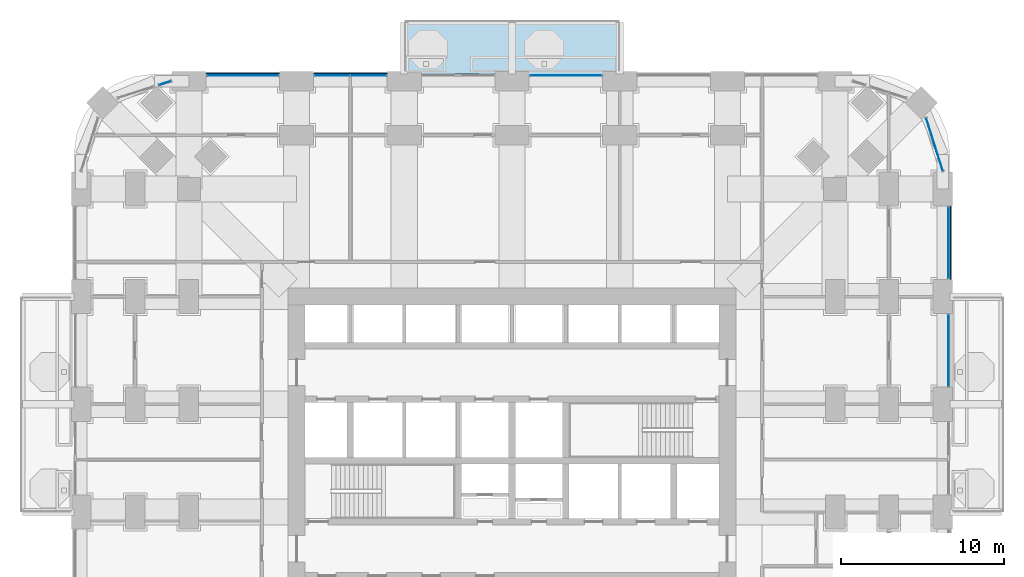
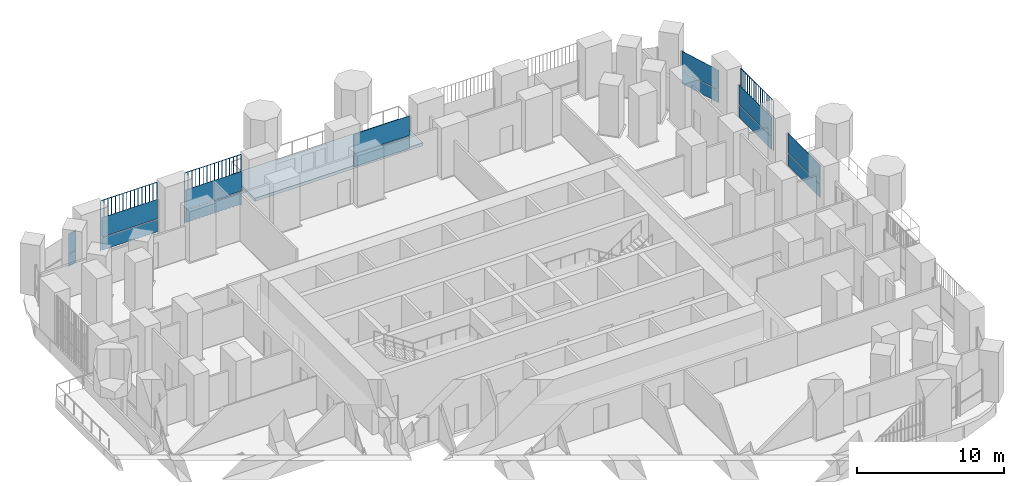
# One storey, part 15 of 26: 19 plates, 1 slab, 7 elements without a shape of their own.
"""IFC4 building model written with IfcOpenShell, lengths in metres."""

from ifc_helpers import new_model, si_unit, direction, frame, origin, origin_2d, place, context, subcontext, project, spatial, polyline, rectangle, outline, extrude, material, layer, layer_set, type_object, element, aggregate, save


model = new_model("IFC4")

# Units and contexts
model_context = context("Model", 3, precision=1e-05, world=origin(), true_north=direction((0.0, 1.0)))
body_context = subcontext(model_context, "Body", "Model", "MODEL_VIEW")
ifc_project = project(units=[si_unit("LENGTHUNIT", "METRE"), si_unit("AREAUNIT", "SQUARE_METRE"), si_unit("VOLUMEUNIT", "CUBIC_METRE"), si_unit("PLANEANGLEUNIT", "RADIAN"), si_unit("MASSUNIT", "GRAM", prefix="KILO")], contexts=[model_context])

# Site, building, storey
site_placement = place(None, origin())
site = spatial("IfcSite", under=ifc_project, at=site_placement, CompositionType="ELEMENT")
building_placement = place(site_placement, origin())
building = spatial("IfcBuilding", under=site, at=building_placement, Name="Cobogo Forest Laboratory Tower", CompositionType="ELEMENT")
storey_placement = place(building_placement, frame((0.0, 0.0, 59.10009765625)))
storey = spatial("IfcBuildingStorey", under=building, at=storey_placement, Name="L13", CompositionType="ELEMENT", Elevation=59.10009765625)

# Slab
ifc_material_1 = material(Name="Concrete HA-40 (C40/50)", Category="concrete")
ifc_layer_1 = layer(ifc_material_1, 0.25)
ifc_layer_set_1 = layer_set([ifc_layer_1], Name="Balcony slab 250")
slab_type = type_object("IfcSlabType", Name="Balcony slab 250", PredefinedType="FLOOR", material=ifc_layer_set_1)
slab_placement = place(storey_placement, frame((0.0, 0.0, -0.25)))
element("IfcSlab", 1, at=slab_placement, inside=storey, type_object=slab_type, Name="Balcony BAL-N1 L13", PredefinedType="FLOOR", context=body_context, shape_type="SweptSolid", body=[
    extrude(outline(polyline([(19.800048828125, 46.64990234375), (33.0, 46.64990234375), (33.0, 49.949951171875), (19.800048828125, 49.949951171875), (19.800048828125, 46.64990234375)])), origin(), (0.0, 0.0, 1.0), 0.25),
])

# Curtain wall, plates
ifc_material_2 = material(Name="Aluminium curtain wall", Category="aluminium")
curtain_wall_type = type_object("IfcCurtainWallType", Name="CW-1 unitised curtain wall, clear glazing, laboratory floors zones A and B", PredefinedType="USERDEFINED", material=ifc_material_2)
curtain_wall_1_placement = place(storey_placement, origin())
curtain_wall_1 = element("IfcCurtainWall", 2, at=curtain_wall_1_placement, inside=storey, type_object=curtain_wall_type, Name="Curtain wall 13 L13", ObjectType="UNITISED CURTAIN WALL", PredefinedType="USERDEFINED")
ifc_material_3 = material(Name="Clear insulated glass", Category="glass")
ifc_layer_2 = layer(ifc_material_3, 0.028076171875)
ifc_layer_set_2 = layer_set([ifc_layer_2], Name="GP-1 clear insulated glass unit 28")
plate_type_1 = type_object("IfcPlateType", Name="GP-1 clear insulated glass unit 28", PredefinedType="CURTAIN_PANEL", material=ifc_layer_set_2)
plate_1_placement = place(storey_placement, frame((53.14990234375, 29.699951171875, 0.0), z_axis=(0.0, 0.0, 1.0), x_axis=(0.0, 1.0, 0.0)))
plate_1 = element("IfcPlate", 3, at=plate_1_placement, type_object=plate_type_1, Name="CW-1 panel 1.1", PredefinedType="CURTAIN_PANEL", context=body_context, shape_type="SweptSolid", body=[
    extrude(rectangle(XDim=4.3798828125, YDim=0.028076171875, at=origin_2d()), origin(), (0.0, 0.0, 1.0), 1.02001953125),
])
plate_2_placement = place(storey_placement, frame((53.14990234375, 29.699951171875, 1.079833984375), z_axis=(0.0, 0.0, 1.0), x_axis=(0.0, 1.0, 0.0)))
plate_2 = element("IfcPlate", 4, at=plate_2_placement, type_object=plate_type_1, Name="CW-1 panel 1.2", PredefinedType="CURTAIN_PANEL", context=body_context, shape_type="SweptSolid", body=[
    extrude(rectangle(XDim=4.3798828125, YDim=0.028076171875, at=origin_2d()), origin(), (0.0, 0.0, 1.0), 1.6201171875),
])
aggregate(curtain_wall_1, [plate_1, plate_2])

curtain_wall_2_placement = place(storey_placement, origin())
curtain_wall_2 = element("IfcCurtainWall", 5, at=curtain_wall_2_placement, inside=storey, type_object=curtain_wall_type, Name="Curtain wall 14 L13", ObjectType="UNITISED CURTAIN WALL", PredefinedType="USERDEFINED")
plate_3_placement = place(storey_placement, frame((53.14990234375, 36.300048828125, 0.0), z_axis=(0.0, 0.0, 1.0), x_axis=(0.0, 1.0, 0.0)))
plate_3 = element("IfcPlate", 6, at=plate_3_placement, type_object=plate_type_1, Name="CW-1 panel 1.1", PredefinedType="CURTAIN_PANEL", context=body_context, shape_type="SweptSolid", body=[
    extrude(rectangle(XDim=4.3798828125, YDim=0.028076171875, at=origin_2d()), origin(), (0.0, 0.0, 1.0), 1.02001953125),
])
plate_4_placement = place(storey_placement, frame((53.14990234375, 36.300048828125, 1.079833984375), z_axis=(0.0, 0.0, 1.0), x_axis=(0.0, 1.0, 0.0)))
plate_4 = element("IfcPlate", 7, at=plate_4_placement, type_object=plate_type_1, Name="CW-1 panel 1.2", PredefinedType="CURTAIN_PANEL", context=body_context, shape_type="SweptSolid", body=[
    extrude(rectangle(XDim=4.3798828125, YDim=0.028076171875, at=origin_2d()), origin(), (0.0, 0.0, 1.0), 1.6201171875),
])
aggregate(curtain_wall_2, [plate_3, plate_4])

curtain_wall_3_placement = place(storey_placement, origin())
curtain_wall_3 = element("IfcCurtainWall", 8, at=curtain_wall_3_placement, inside=storey, type_object=curtain_wall_type, Name="Curtain wall 15 L13", ObjectType="UNITISED CURTAIN WALL", PredefinedType="USERDEFINED")
plate_5_placement = place(storey_placement, frame((52.291015625, 42.320068359375, 0.0), z_axis=(0.0, 0.0, 1.0), x_axis=(-0.30113535792, 0.95358140513, 0.0)))
plate_5 = element("IfcPlate", 9, at=plate_5_placement, type_object=plate_type_1, Name="CW-1 panel 1.1", PredefinedType="CURTAIN_PANEL", context=body_context, shape_type="SweptSolid", body=[
    extrude(rectangle(XDim=3.382568359375, YDim=0.028076171875, at=origin_2d()), origin(), (0.0, 0.0, 1.0), 1.02001953125),
])
plate_6_placement = place(storey_placement, frame((52.291015625, 42.320068359375, 1.079833984375), z_axis=(0.0, 0.0, 1.0), x_axis=(-0.30113535792, 0.95358140513, 0.0)))
plate_6 = element("IfcPlate", 10, at=plate_6_placement, type_object=plate_type_1, Name="CW-1 panel 1.2", PredefinedType="CURTAIN_PANEL", context=body_context, shape_type="SweptSolid", body=[
    extrude(rectangle(XDim=3.382568359375, YDim=0.028076171875, at=origin_2d()), origin(), (0.0, 0.0, 1.0), 1.6201171875),
])
aggregate(curtain_wall_3, [plate_5, plate_6])

curtain_wall_4_placement = place(storey_placement, origin())
curtain_wall_4 = element("IfcCurtainWall", 11, at=curtain_wall_4_placement, inside=storey, type_object=curtain_wall_type, Name="Curtain wall 20 L13", ObjectType="UNITISED CURTAIN WALL", PredefinedType="USERDEFINED")
plate_7_placement = place(storey_placement, frame((29.699951171875, 46.550048828125, 0.0), z_axis=(0.0, 0.0, 1.0), x_axis=(-1.0, 0.0, 0.0)))
plate_7 = element("IfcPlate", 12, at=plate_7_placement, type_object=plate_type_1, Name="CW-1 panel 1.1", PredefinedType="CURTAIN_PANEL", context=body_context, shape_type="SweptSolid", body=[
    extrude(rectangle(XDim=4.3798828125, YDim=0.028076171875, at=origin_2d()), origin(), (0.0, 0.0, 1.0), 1.02001953125),
])
plate_8_placement = place(storey_placement, frame((29.699951171875, 46.550048828125, 1.079833984375), z_axis=(0.0, 0.0, 1.0), x_axis=(-1.0, 0.0, 0.0)))
plate_8 = element("IfcPlate", 13, at=plate_8_placement, type_object=plate_type_1, Name="CW-1 panel 1.2", PredefinedType="CURTAIN_PANEL", context=body_context, shape_type="SweptSolid", body=[
    extrude(rectangle(XDim=4.3798828125, YDim=0.028076171875, at=origin_2d()), origin(), (0.0, 0.0, 1.0), 1.6201171875),
])
aggregate(curtain_wall_4, [plate_7, plate_8])

curtain_wall_5_placement = place(storey_placement, origin())
curtain_wall_5 = element("IfcCurtainWall", 14, at=curtain_wall_5_placement, inside=storey, type_object=curtain_wall_type, Name="Curtain wall 22 L13", ObjectType="UNITISED CURTAIN WALL", PredefinedType="USERDEFINED")
plate_9_placement = place(storey_placement, frame((17.610107421875, 46.550048828125, 0.0), z_axis=(0.0, 0.0, 1.0), x_axis=(-1.0, 0.0, 0.0)))
plate_9 = element("IfcPlate", 15, at=plate_9_placement, type_object=plate_type_1, Name="CW-1 panel 1.1", PredefinedType="CURTAIN_PANEL", context=body_context, shape_type="SweptSolid", body=[
    extrude(rectangle(XDim=2.159912109375, YDim=0.028076171875, at=origin_2d()), origin(), (0.0, 0.0, 1.0), 1.02001953125),
])
plate_10_placement = place(storey_placement, frame((17.610107421875, 46.550048828125, 1.079833984375), z_axis=(0.0, 0.0, 1.0), x_axis=(-1.0, 0.0, 0.0)))
plate_10 = element("IfcPlate", 16, at=plate_10_placement, type_object=plate_type_1, Name="CW-1 panel 1.2", PredefinedType="CURTAIN_PANEL", context=body_context, shape_type="SweptSolid", body=[
    extrude(rectangle(XDim=2.159912109375, YDim=0.028076171875, at=origin_2d()), origin(), (0.0, 0.0, 1.0), 1.6201171875),
])
plate_11_placement = place(storey_placement, frame((15.389892578125, 46.550048828125, 0.0), z_axis=(0.0, 0.0, 1.0), x_axis=(-1.0, 0.0, 0.0)))
plate_11 = element("IfcPlate", 17, at=plate_11_placement, type_object=plate_type_1, Name="CW-1 panel 2.1", PredefinedType="CURTAIN_PANEL", context=body_context, shape_type="SweptSolid", body=[
    extrude(rectangle(XDim=2.159912109375, YDim=0.028076171875, at=origin_2d()), origin(), (0.0, 0.0, 1.0), 1.02001953125),
])
plate_12_placement = place(storey_placement, frame((15.389892578125, 46.550048828125, 1.079833984375), z_axis=(0.0, 0.0, 1.0), x_axis=(-1.0, 0.0, 0.0)))
plate_12 = element("IfcPlate", 18, at=plate_12_placement, type_object=plate_type_1, Name="CW-1 panel 2.2", PredefinedType="CURTAIN_PANEL", context=body_context, shape_type="SweptSolid", body=[
    extrude(rectangle(XDim=2.159912109375, YDim=0.028076171875, at=origin_2d()), origin(), (0.0, 0.0, 1.0), 1.6201171875),
])
aggregate(curtain_wall_5, [plate_9, plate_10, plate_11, plate_12])

curtain_wall_6_placement = place(storey_placement, origin())
curtain_wall_6 = element("IfcCurtainWall", 19, at=curtain_wall_6_placement, inside=storey, type_object=curtain_wall_type, Name="Curtain wall 23 L13", ObjectType="UNITISED CURTAIN WALL", PredefinedType="USERDEFINED")
plate_13_placement = place(storey_placement, frame((9.89990234375, 46.550048828125, 0.0), z_axis=(0.0, 0.0, 1.0), x_axis=(-1.0, 0.0, 0.0)))
plate_13 = element("IfcPlate", 20, at=plate_13_placement, type_object=plate_type_1, Name="CW-1 panel 1.1", PredefinedType="CURTAIN_PANEL", context=body_context, shape_type="SweptSolid", body=[
    extrude(rectangle(XDim=4.3798828125, YDim=0.028076171875, at=origin_2d()), origin(), (0.0, 0.0, 1.0), 1.02001953125),
])
plate_14_placement = place(storey_placement, frame((9.89990234375, 46.550048828125, 1.079833984375), z_axis=(0.0, 0.0, 1.0), x_axis=(-1.0, 0.0, 0.0)))
plate_14 = element("IfcPlate", 21, at=plate_14_placement, type_object=plate_type_1, Name="CW-1 panel 1.2", PredefinedType="CURTAIN_PANEL", context=body_context, shape_type="SweptSolid", body=[
    extrude(rectangle(XDim=4.3798828125, YDim=0.028076171875, at=origin_2d()), origin(), (0.0, 0.0, 1.0), 1.6201171875),
])
aggregate(curtain_wall_6, [plate_13, plate_14])

curtain_wall_7_placement = place(storey_placement, origin())
curtain_wall_7 = element("IfcCurtainWall", 22, at=curtain_wall_7_placement, inside=storey, type_object=curtain_wall_type, Name="Curtain wall 24 L13", ObjectType="UNITISED CURTAIN WALL", PredefinedType="USERDEFINED")
plate_15_placement = place(storey_placement, frame((5.134033203125, 46.087158203125, 0.0), z_axis=(0.0, 0.0, 1.0), x_axis=(-0.953581504428, -0.301135043481, 0.0)))
plate_15 = element("IfcPlate", 23, at=plate_15_placement, type_object=plate_type_1, Name="CW-1 panel 1.1", PredefinedType="CURTAIN_PANEL", context=body_context, shape_type="SweptSolid", body=[
    extrude(rectangle(XDim=0.75244140625, YDim=0.028076171875, at=origin_2d()), origin(), (0.0, 0.0, 1.0), 1.02001953125),
])
plate_16_placement = place(storey_placement, frame((5.134033203125, 46.087158203125, 1.079833984375), z_axis=(0.0, 0.0, 1.0), x_axis=(-0.953581504428, -0.301135043481, 0.0)))
plate_16 = element("IfcPlate", 24, at=plate_16_placement, type_object=plate_type_1, Name="CW-1 panel 1.2", PredefinedType="CURTAIN_PANEL", context=body_context, shape_type="SweptSolid", body=[
    extrude(rectangle(XDim=0.75244140625, YDim=0.028076171875, at=origin_2d()), origin(), (0.0, 0.0, 1.0), 1.6201171875),
])
aggregate(curtain_wall_7, [plate_15, plate_16])

# Plates
ifc_material_4 = material(Name="Terracotta", Category="masonry")
plate_type_2 = type_object("IfcPlateType", Name="TB1 terracotta baguette screen", PredefinedType="USERDEFINED", material=ifc_material_4)
plate_17_placement = place(storey_placement, frame((53.27783203125, 34.081298828125, -0.150146484375)))
element("IfcPlate", 25, at=plate_17_placement, inside=storey, type_object=plate_type_2, Name="Baguette screen E5 L13", ObjectType="BAGUETTE SCREEN", PredefinedType="USERDEFINED", context=body_context, shape_type="SweptSolid", body=[
    extrude(outline(polyline([(0.02880859375, 0.011962890625), (0.011962890625, 0.02880859375), (-0.011962890625, 0.02880859375), (-0.02880859375, 0.011962890625), (-0.02880859375, -0.011962890625), (-0.011962890625, -0.02880859375), (0.011962890625, -0.02880859375), (0.02880859375, -0.011962890625), (0.02880859375, 0.011962890625)])), frame((0.0, 0.0, 4.168701171875), z_axis=(0.0, 1.0, 0.0), x_axis=(-1.0, 0.0, 0.0)), (0.0, 0.0, 1.0), 4.4375),
    extrude(outline(polyline([(0.02880859375, 0.011962890625), (0.011962890625, 0.02880859375), (-0.011962890625, 0.02880859375), (-0.02880859375, 0.011962890625), (-0.02880859375, -0.011962890625), (-0.011962890625, -0.02880859375), (0.011962890625, -0.02880859375), (0.02880859375, -0.011962890625), (0.02880859375, 0.011962890625)])), origin(), (0.0, 0.0, 1.0), 4.137451171875),
    extrude(outline(polyline([(0.02880859375, 0.011962890625), (0.011962890625, 0.02880859375), (-0.011962890625, 0.02880859375), (-0.02880859375, 0.011962890625), (-0.02880859375, -0.011962890625), (-0.011962890625, -0.02880859375), (0.011962890625, -0.02880859375), (0.02880859375, -0.011962890625), (0.02880859375, 0.011962890625)])), frame((0.0, 0.2958984375, 0.0)), (0.0, 0.0, 1.0), 4.137451171875),
    extrude(outline(polyline([(0.02880859375, 0.011962890625), (0.011962890625, 0.02880859375), (-0.011962890625, 0.02880859375), (-0.02880859375, 0.011962890625), (-0.02880859375, -0.011962890625), (-0.011962890625, -0.02880859375), (0.011962890625, -0.02880859375), (0.02880859375, -0.011962890625), (0.02880859375, 0.011962890625)])), frame((0.0, 0.591552734375, 0.0)), (0.0, 0.0, 1.0), 4.137451171875),
    extrude(outline(polyline([(0.02880859375, 0.011962890625), (0.011962890625, 0.02880859375), (-0.011962890625, 0.02880859375), (-0.02880859375, 0.011962890625), (-0.02880859375, -0.011962890625), (-0.011962890625, -0.02880859375), (0.011962890625, -0.02880859375), (0.02880859375, -0.011962890625), (0.02880859375, 0.011962890625)])), frame((0.0, 0.887451171875, 0.0)), (0.0, 0.0, 1.0), 4.137451171875),
    extrude(outline(polyline([(0.02880859375, 0.011962890625), (0.011962890625, 0.02880859375), (-0.011962890625, 0.02880859375), (-0.02880859375, 0.011962890625), (-0.02880859375, -0.011962890625), (-0.011962890625, -0.02880859375), (0.011962890625, -0.02880859375), (0.02880859375, -0.011962890625), (0.02880859375, 0.011962890625)])), frame((0.0, 1.183349609375, 0.0)), (0.0, 0.0, 1.0), 4.137451171875),
    extrude(outline(polyline([(0.02880859375, 0.011962890625), (0.011962890625, 0.02880859375), (-0.011962890625, 0.02880859375), (-0.02880859375, 0.011962890625), (-0.02880859375, -0.011962890625), (-0.011962890625, -0.02880859375), (0.011962890625, -0.02880859375), (0.02880859375, -0.011962890625), (0.02880859375, 0.011962890625)])), frame((0.0, 1.479248046875, 0.0)), (0.0, 0.0, 1.0), 4.137451171875),
    extrude(outline(polyline([(0.02880859375, 0.011962890625), (0.011962890625, 0.02880859375), (-0.011962890625, 0.02880859375), (-0.02880859375, 0.011962890625), (-0.02880859375, -0.011962890625), (-0.011962890625, -0.02880859375), (0.011962890625, -0.02880859375), (0.02880859375, -0.011962890625), (0.02880859375, 0.011962890625)])), frame((0.0, 1.77490234375, 0.0)), (0.0, 0.0, 1.0), 4.137451171875),
    extrude(outline(polyline([(0.02880859375, 0.011962890625), (0.011962890625, 0.02880859375), (-0.011962890625, 0.02880859375), (-0.02880859375, 0.011962890625), (-0.02880859375, -0.011962890625), (-0.011962890625, -0.02880859375), (0.011962890625, -0.02880859375), (0.02880859375, -0.011962890625), (0.02880859375, 0.011962890625)])), frame((0.0, 2.07080078125, 0.0)), (0.0, 0.0, 1.0), 4.137451171875),
    extrude(outline(polyline([(0.02880859375, 0.011962890625), (0.011962890625, 0.02880859375), (-0.011962890625, 0.02880859375), (-0.02880859375, 0.011962890625), (-0.02880859375, -0.011962890625), (-0.011962890625, -0.02880859375), (0.011962890625, -0.02880859375), (0.02880859375, -0.011962890625), (0.02880859375, 0.011962890625)])), frame((0.0, 2.36669921875, 0.0)), (0.0, 0.0, 1.0), 4.137451171875),
    extrude(outline(polyline([(0.02880859375, 0.011962890625), (0.011962890625, 0.02880859375), (-0.011962890625, 0.02880859375), (-0.02880859375, 0.011962890625), (-0.02880859375, -0.011962890625), (-0.011962890625, -0.02880859375), (0.011962890625, -0.02880859375), (0.02880859375, -0.011962890625), (0.02880859375, 0.011962890625)])), frame((0.0, 2.66259765625, 0.0)), (0.0, 0.0, 1.0), 4.137451171875),
    extrude(outline(polyline([(0.02880859375, 0.011962890625), (0.011962890625, 0.02880859375), (-0.011962890625, 0.02880859375), (-0.02880859375, 0.011962890625), (-0.02880859375, -0.011962890625), (-0.011962890625, -0.02880859375), (0.011962890625, -0.02880859375), (0.02880859375, -0.011962890625), (0.02880859375, 0.011962890625)])), frame((0.0, 2.958251953125, 0.0)), (0.0, 0.0, 1.0), 4.137451171875),
    extrude(outline(polyline([(0.02880859375, 0.011962890625), (0.011962890625, 0.02880859375), (-0.011962890625, 0.02880859375), (-0.02880859375, 0.011962890625), (-0.02880859375, -0.011962890625), (-0.011962890625, -0.02880859375), (0.011962890625, -0.02880859375), (0.02880859375, -0.011962890625), (0.02880859375, 0.011962890625)])), frame((0.0, 3.254150390625, 0.0)), (0.0, 0.0, 1.0), 4.137451171875),
    extrude(outline(polyline([(0.02880859375, 0.011962890625), (0.011962890625, 0.02880859375), (-0.011962890625, 0.02880859375), (-0.02880859375, 0.011962890625), (-0.02880859375, -0.011962890625), (-0.011962890625, -0.02880859375), (0.011962890625, -0.02880859375), (0.02880859375, -0.011962890625), (0.02880859375, 0.011962890625)])), frame((0.0, 3.550048828125, 0.0)), (0.0, 0.0, 1.0), 4.137451171875),
    extrude(outline(polyline([(0.02880859375, 0.011962890625), (0.011962890625, 0.02880859375), (-0.011962890625, 0.02880859375), (-0.02880859375, 0.011962890625), (-0.02880859375, -0.011962890625), (-0.011962890625, -0.02880859375), (0.011962890625, -0.02880859375), (0.02880859375, -0.011962890625), (0.02880859375, 0.011962890625)])), frame((0.0, 3.845947265625, 0.0)), (0.0, 0.0, 1.0), 4.137451171875),
    extrude(outline(polyline([(0.02880859375, 0.011962890625), (0.011962890625, 0.02880859375), (-0.011962890625, 0.02880859375), (-0.02880859375, 0.011962890625), (-0.02880859375, -0.011962890625), (-0.011962890625, -0.02880859375), (0.011962890625, -0.02880859375), (0.02880859375, -0.011962890625), (0.02880859375, 0.011962890625)])), frame((0.0, 4.1416015625, 0.0)), (0.0, 0.0, 1.0), 4.137451171875),
    extrude(outline(polyline([(0.02880859375, 0.011962890625), (0.011962890625, 0.02880859375), (-0.011962890625, 0.02880859375), (-0.02880859375, 0.011962890625), (-0.02880859375, -0.011962890625), (-0.011962890625, -0.02880859375), (0.011962890625, -0.02880859375), (0.02880859375, -0.011962890625), (0.02880859375, 0.011962890625)])), frame((0.0, 4.4375, 0.0)), (0.0, 0.0, 1.0), 4.137451171875),
])
plate_18_placement = place(storey_placement, frame((7.68115234375, 46.677978515625, -0.150146484375)))
element("IfcPlate", 26, at=plate_18_placement, inside=storey, type_object=plate_type_2, Name="Baguette screen N1 L13", ObjectType="BAGUETTE SCREEN", PredefinedType="USERDEFINED", context=body_context, shape_type="SweptSolid", body=[
    extrude(outline(polyline([(0.02880859375, 0.011962890625), (0.011962890625, 0.02880859375), (-0.011962890625, 0.02880859375), (-0.02880859375, 0.011962890625), (-0.02880859375, -0.011962890625), (-0.011962890625, -0.02880859375), (0.011962890625, -0.02880859375), (0.02880859375, -0.011962890625), (0.02880859375, 0.011962890625)])), frame((0.0, 0.0, 4.168701171875), z_axis=(1.0, 0.0, 0.0), x_axis=(0.0, 1.0, 0.0)), (0.0, 0.0, 1.0), 4.4375),
    extrude(outline(polyline([(0.02880859375, 0.011962890625), (0.011962890625, 0.02880859375), (-0.011962890625, 0.02880859375), (-0.02880859375, 0.011962890625), (-0.02880859375, -0.011962890625), (-0.011962890625, -0.02880859375), (0.011962890625, -0.02880859375), (0.02880859375, -0.011962890625), (0.02880859375, 0.011962890625)])), origin(), (0.0, 0.0, 1.0), 4.137451171875),
    extrude(outline(polyline([(0.02880859375, 0.011962890625), (0.011962890625, 0.02880859375), (-0.011962890625, 0.02880859375), (-0.02880859375, 0.011962890625), (-0.02880859375, -0.011962890625), (-0.011962890625, -0.02880859375), (0.011962890625, -0.02880859375), (0.02880859375, -0.011962890625), (0.02880859375, 0.011962890625)])), frame((0.2958984375, 0.0, 0.0)), (0.0, 0.0, 1.0), 4.137451171875),
    extrude(outline(polyline([(0.02880859375, 0.011962890625), (0.011962890625, 0.02880859375), (-0.011962890625, 0.02880859375), (-0.02880859375, 0.011962890625), (-0.02880859375, -0.011962890625), (-0.011962890625, -0.02880859375), (0.011962890625, -0.02880859375), (0.02880859375, -0.011962890625), (0.02880859375, 0.011962890625)])), frame((0.591552734375, 0.0, 0.0)), (0.0, 0.0, 1.0), 4.137451171875),
    extrude(outline(polyline([(0.02880859375, 0.011962890625), (0.011962890625, 0.02880859375), (-0.011962890625, 0.02880859375), (-0.02880859375, 0.011962890625), (-0.02880859375, -0.011962890625), (-0.011962890625, -0.02880859375), (0.011962890625, -0.02880859375), (0.02880859375, -0.011962890625), (0.02880859375, 0.011962890625)])), frame((0.887451171875, 0.0, 0.0)), (0.0, 0.0, 1.0), 4.137451171875),
    extrude(outline(polyline([(0.02880859375, 0.011962890625), (0.011962890625, 0.02880859375), (-0.011962890625, 0.02880859375), (-0.02880859375, 0.011962890625), (-0.02880859375, -0.011962890625), (-0.011962890625, -0.02880859375), (0.011962890625, -0.02880859375), (0.02880859375, -0.011962890625), (0.02880859375, 0.011962890625)])), frame((1.183349609375, 0.0, 0.0)), (0.0, 0.0, 1.0), 4.137451171875),
    extrude(outline(polyline([(0.02880859375, 0.011962890625), (0.011962890625, 0.02880859375), (-0.011962890625, 0.02880859375), (-0.02880859375, 0.011962890625), (-0.02880859375, -0.011962890625), (-0.011962890625, -0.02880859375), (0.011962890625, -0.02880859375), (0.02880859375, -0.011962890625), (0.02880859375, 0.011962890625)])), frame((1.479248046875, 0.0, 0.0)), (0.0, 0.0, 1.0), 4.137451171875),
    extrude(outline(polyline([(0.02880859375, 0.011962890625), (0.011962890625, 0.02880859375), (-0.011962890625, 0.02880859375), (-0.02880859375, 0.011962890625), (-0.02880859375, -0.011962890625), (-0.011962890625, -0.02880859375), (0.011962890625, -0.02880859375), (0.02880859375, -0.011962890625), (0.02880859375, 0.011962890625)])), frame((1.77490234375, 0.0, 0.0)), (0.0, 0.0, 1.0), 4.137451171875),
    extrude(outline(polyline([(0.02880859375, 0.011962890625), (0.011962890625, 0.02880859375), (-0.011962890625, 0.02880859375), (-0.02880859375, 0.011962890625), (-0.02880859375, -0.011962890625), (-0.011962890625, -0.02880859375), (0.011962890625, -0.02880859375), (0.02880859375, -0.011962890625), (0.02880859375, 0.011962890625)])), frame((2.07080078125, 0.0, 0.0)), (0.0, 0.0, 1.0), 4.137451171875),
    extrude(outline(polyline([(0.02880859375, 0.011962890625), (0.011962890625, 0.02880859375), (-0.011962890625, 0.02880859375), (-0.02880859375, 0.011962890625), (-0.02880859375, -0.011962890625), (-0.011962890625, -0.02880859375), (0.011962890625, -0.02880859375), (0.02880859375, -0.011962890625), (0.02880859375, 0.011962890625)])), frame((2.36669921875, 0.0, 0.0)), (0.0, 0.0, 1.0), 4.137451171875),
    extrude(outline(polyline([(0.02880859375, 0.011962890625), (0.011962890625, 0.02880859375), (-0.011962890625, 0.02880859375), (-0.02880859375, 0.011962890625), (-0.02880859375, -0.011962890625), (-0.011962890625, -0.02880859375), (0.011962890625, -0.02880859375), (0.02880859375, -0.011962890625), (0.02880859375, 0.011962890625)])), frame((2.66259765625, 0.0, 0.0)), (0.0, 0.0, 1.0), 4.137451171875),
    extrude(outline(polyline([(0.02880859375, 0.011962890625), (0.011962890625, 0.02880859375), (-0.011962890625, 0.02880859375), (-0.02880859375, 0.011962890625), (-0.02880859375, -0.011962890625), (-0.011962890625, -0.02880859375), (0.011962890625, -0.02880859375), (0.02880859375, -0.011962890625), (0.02880859375, 0.011962890625)])), frame((2.958251953125, 0.0, 0.0)), (0.0, 0.0, 1.0), 4.137451171875),
    extrude(outline(polyline([(0.02880859375, 0.011962890625), (0.011962890625, 0.02880859375), (-0.011962890625, 0.02880859375), (-0.02880859375, 0.011962890625), (-0.02880859375, -0.011962890625), (-0.011962890625, -0.02880859375), (0.011962890625, -0.02880859375), (0.02880859375, -0.011962890625), (0.02880859375, 0.011962890625)])), frame((3.254150390625, 0.0, 0.0)), (0.0, 0.0, 1.0), 4.137451171875),
    extrude(outline(polyline([(0.02880859375, 0.011962890625), (0.011962890625, 0.02880859375), (-0.011962890625, 0.02880859375), (-0.02880859375, 0.011962890625), (-0.02880859375, -0.011962890625), (-0.011962890625, -0.02880859375), (0.011962890625, -0.02880859375), (0.02880859375, -0.011962890625), (0.02880859375, 0.011962890625)])), frame((3.550048828125, 0.0, 0.0)), (0.0, 0.0, 1.0), 4.137451171875),
    extrude(outline(polyline([(0.02880859375, 0.011962890625), (0.011962890625, 0.02880859375), (-0.011962890625, 0.02880859375), (-0.02880859375, 0.011962890625), (-0.02880859375, -0.011962890625), (-0.011962890625, -0.02880859375), (0.011962890625, -0.02880859375), (0.02880859375, -0.011962890625), (0.02880859375, 0.011962890625)])), frame((3.845947265625, 0.0, 0.0)), (0.0, 0.0, 1.0), 4.137451171875),
    extrude(outline(polyline([(0.02880859375, 0.011962890625), (0.011962890625, 0.02880859375), (-0.011962890625, 0.02880859375), (-0.02880859375, 0.011962890625), (-0.02880859375, -0.011962890625), (-0.011962890625, -0.02880859375), (0.011962890625, -0.02880859375), (0.02880859375, -0.011962890625), (0.02880859375, 0.011962890625)])), frame((4.1416015625, 0.0, 0.0)), (0.0, 0.0, 1.0), 4.137451171875),
    extrude(outline(polyline([(0.02880859375, 0.011962890625), (0.011962890625, 0.02880859375), (-0.011962890625, 0.02880859375), (-0.02880859375, 0.011962890625), (-0.02880859375, -0.011962890625), (-0.011962890625, -0.02880859375), (0.011962890625, -0.02880859375), (0.02880859375, -0.011962890625), (0.02880859375, 0.011962890625)])), frame((4.4375, 0.0, 0.0)), (0.0, 0.0, 1.0), 4.137451171875),
])
plate_19_placement = place(storey_placement, frame((14.28125, 46.677978515625, -0.150146484375)))
element("IfcPlate", 27, at=plate_19_placement, inside=storey, type_object=plate_type_2, Name="Baguette screen N2 L13", ObjectType="BAGUETTE SCREEN", PredefinedType="USERDEFINED", context=body_context, shape_type="SweptSolid", body=[
    extrude(outline(polyline([(0.02880859375, 0.011962890625), (0.011962890625, 0.02880859375), (-0.011962890625, 0.02880859375), (-0.02880859375, 0.011962890625), (-0.02880859375, -0.011962890625), (-0.011962890625, -0.02880859375), (0.011962890625, -0.02880859375), (0.02880859375, -0.011962890625), (0.02880859375, 0.011962890625)])), frame((0.0, 0.0, 4.168701171875), z_axis=(1.0, 0.0, 0.0), x_axis=(0.0, 1.0, 0.0)), (0.0, 0.0, 1.0), 4.4375),
    extrude(outline(polyline([(0.02880859375, 0.011962890625), (0.011962890625, 0.02880859375), (-0.011962890625, 0.02880859375), (-0.02880859375, 0.011962890625), (-0.02880859375, -0.011962890625), (-0.011962890625, -0.02880859375), (0.011962890625, -0.02880859375), (0.02880859375, -0.011962890625), (0.02880859375, 0.011962890625)])), origin(), (0.0, 0.0, 1.0), 4.137451171875),
    extrude(outline(polyline([(0.02880859375, 0.011962890625), (0.011962890625, 0.02880859375), (-0.011962890625, 0.02880859375), (-0.02880859375, 0.011962890625), (-0.02880859375, -0.011962890625), (-0.011962890625, -0.02880859375), (0.011962890625, -0.02880859375), (0.02880859375, -0.011962890625), (0.02880859375, 0.011962890625)])), frame((0.2958984375, 0.0, 0.0)), (0.0, 0.0, 1.0), 4.137451171875),
    extrude(outline(polyline([(0.02880859375, 0.011962890625), (0.011962890625, 0.02880859375), (-0.011962890625, 0.02880859375), (-0.02880859375, 0.011962890625), (-0.02880859375, -0.011962890625), (-0.011962890625, -0.02880859375), (0.011962890625, -0.02880859375), (0.02880859375, -0.011962890625), (0.02880859375, 0.011962890625)])), frame((0.591552734375, 0.0, 0.0)), (0.0, 0.0, 1.0), 4.137451171875),
    extrude(outline(polyline([(0.02880859375, 0.011962890625), (0.011962890625, 0.02880859375), (-0.011962890625, 0.02880859375), (-0.02880859375, 0.011962890625), (-0.02880859375, -0.011962890625), (-0.011962890625, -0.02880859375), (0.011962890625, -0.02880859375), (0.02880859375, -0.011962890625), (0.02880859375, 0.011962890625)])), frame((0.887451171875, 0.0, 0.0)), (0.0, 0.0, 1.0), 4.137451171875),
    extrude(outline(polyline([(0.02880859375, 0.011962890625), (0.011962890625, 0.02880859375), (-0.011962890625, 0.02880859375), (-0.02880859375, 0.011962890625), (-0.02880859375, -0.011962890625), (-0.011962890625, -0.02880859375), (0.011962890625, -0.02880859375), (0.02880859375, -0.011962890625), (0.02880859375, 0.011962890625)])), frame((1.183349609375, 0.0, 0.0)), (0.0, 0.0, 1.0), 4.137451171875),
    extrude(outline(polyline([(0.02880859375, 0.011962890625), (0.011962890625, 0.02880859375), (-0.011962890625, 0.02880859375), (-0.02880859375, 0.011962890625), (-0.02880859375, -0.011962890625), (-0.011962890625, -0.02880859375), (0.011962890625, -0.02880859375), (0.02880859375, -0.011962890625), (0.02880859375, 0.011962890625)])), frame((1.479248046875, 0.0, 0.0)), (0.0, 0.0, 1.0), 4.137451171875),
    extrude(outline(polyline([(0.02880859375, 0.011962890625), (0.011962890625, 0.02880859375), (-0.011962890625, 0.02880859375), (-0.02880859375, 0.011962890625), (-0.02880859375, -0.011962890625), (-0.011962890625, -0.02880859375), (0.011962890625, -0.02880859375), (0.02880859375, -0.011962890625), (0.02880859375, 0.011962890625)])), frame((1.77490234375, 0.0, 0.0)), (0.0, 0.0, 1.0), 4.137451171875),
    extrude(outline(polyline([(0.02880859375, 0.011962890625), (0.011962890625, 0.02880859375), (-0.011962890625, 0.02880859375), (-0.02880859375, 0.011962890625), (-0.02880859375, -0.011962890625), (-0.011962890625, -0.02880859375), (0.011962890625, -0.02880859375), (0.02880859375, -0.011962890625), (0.02880859375, 0.011962890625)])), frame((2.07080078125, 0.0, 0.0)), (0.0, 0.0, 1.0), 4.137451171875),
    extrude(outline(polyline([(0.02880859375, 0.011962890625), (0.011962890625, 0.02880859375), (-0.011962890625, 0.02880859375), (-0.02880859375, 0.011962890625), (-0.02880859375, -0.011962890625), (-0.011962890625, -0.02880859375), (0.011962890625, -0.02880859375), (0.02880859375, -0.011962890625), (0.02880859375, 0.011962890625)])), frame((2.36669921875, 0.0, 0.0)), (0.0, 0.0, 1.0), 4.137451171875),
    extrude(outline(polyline([(0.02880859375, 0.011962890625), (0.011962890625, 0.02880859375), (-0.011962890625, 0.02880859375), (-0.02880859375, 0.011962890625), (-0.02880859375, -0.011962890625), (-0.011962890625, -0.02880859375), (0.011962890625, -0.02880859375), (0.02880859375, -0.011962890625), (0.02880859375, 0.011962890625)])), frame((2.66259765625, 0.0, 0.0)), (0.0, 0.0, 1.0), 4.137451171875),
    extrude(outline(polyline([(0.02880859375, 0.011962890625), (0.011962890625, 0.02880859375), (-0.011962890625, 0.02880859375), (-0.02880859375, 0.011962890625), (-0.02880859375, -0.011962890625), (-0.011962890625, -0.02880859375), (0.011962890625, -0.02880859375), (0.02880859375, -0.011962890625), (0.02880859375, 0.011962890625)])), frame((2.958251953125, 0.0, 0.0)), (0.0, 0.0, 1.0), 4.137451171875),
    extrude(outline(polyline([(0.02880859375, 0.011962890625), (0.011962890625, 0.02880859375), (-0.011962890625, 0.02880859375), (-0.02880859375, 0.011962890625), (-0.02880859375, -0.011962890625), (-0.011962890625, -0.02880859375), (0.011962890625, -0.02880859375), (0.02880859375, -0.011962890625), (0.02880859375, 0.011962890625)])), frame((3.254150390625, 0.0, 0.0)), (0.0, 0.0, 1.0), 4.137451171875),
    extrude(outline(polyline([(0.02880859375, 0.011962890625), (0.011962890625, 0.02880859375), (-0.011962890625, 0.02880859375), (-0.02880859375, 0.011962890625), (-0.02880859375, -0.011962890625), (-0.011962890625, -0.02880859375), (0.011962890625, -0.02880859375), (0.02880859375, -0.011962890625), (0.02880859375, 0.011962890625)])), frame((3.550048828125, 0.0, 0.0)), (0.0, 0.0, 1.0), 4.137451171875),
    extrude(outline(polyline([(0.02880859375, 0.011962890625), (0.011962890625, 0.02880859375), (-0.011962890625, 0.02880859375), (-0.02880859375, 0.011962890625), (-0.02880859375, -0.011962890625), (-0.011962890625, -0.02880859375), (0.011962890625, -0.02880859375), (0.02880859375, -0.011962890625), (0.02880859375, 0.011962890625)])), frame((3.845947265625, 0.0, 0.0)), (0.0, 0.0, 1.0), 4.137451171875),
    extrude(outline(polyline([(0.02880859375, 0.011962890625), (0.011962890625, 0.02880859375), (-0.011962890625, 0.02880859375), (-0.02880859375, 0.011962890625), (-0.02880859375, -0.011962890625), (-0.011962890625, -0.02880859375), (0.011962890625, -0.02880859375), (0.02880859375, -0.011962890625), (0.02880859375, 0.011962890625)])), frame((4.1416015625, 0.0, 0.0)), (0.0, 0.0, 1.0), 4.137451171875),
    extrude(outline(polyline([(0.02880859375, 0.011962890625), (0.011962890625, 0.02880859375), (-0.011962890625, 0.02880859375), (-0.02880859375, 0.011962890625), (-0.02880859375, -0.011962890625), (-0.011962890625, -0.02880859375), (0.011962890625, -0.02880859375), (0.02880859375, -0.011962890625), (0.02880859375, 0.011962890625)])), frame((4.4375, 0.0, 0.0)), (0.0, 0.0, 1.0), 4.137451171875),
])

save(model, "model.ifc")
